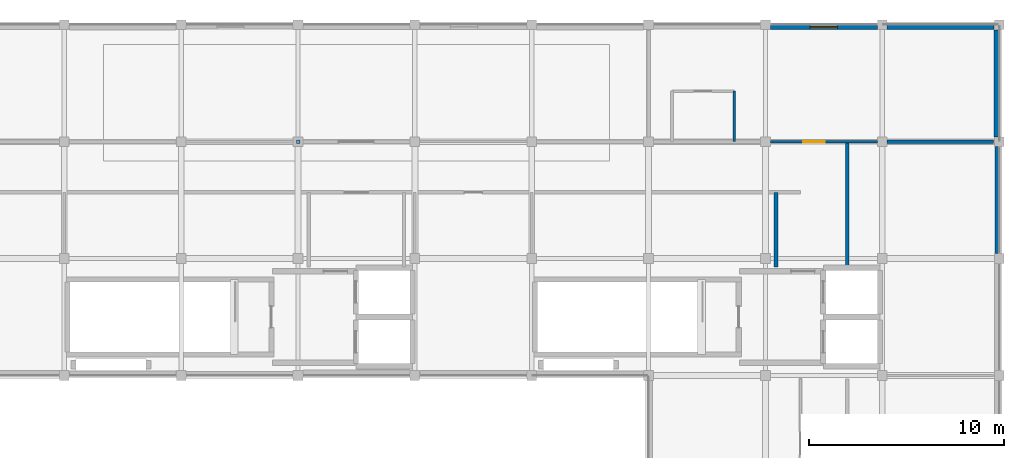
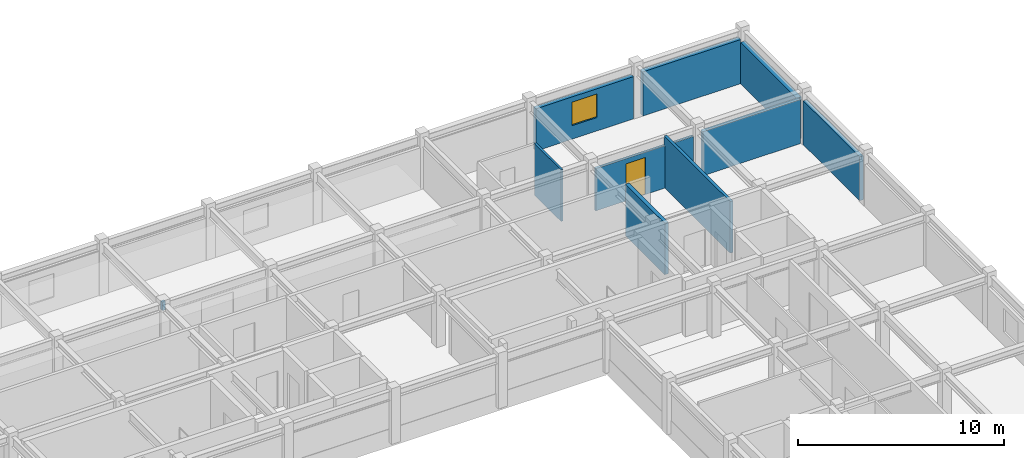
# One storey, part 10 of 11: 9 walls, 1 discrete accessory, 1 door, 1 window, 2 openings.
"""IFC4 building model written with IfcOpenShell, lengths in metres."""

import ifcopenshell
import ifcopenshell.guid

model = None  # the IFC model being written
_history = None  # IfcOwnerHistory: only IFC2X3 demands one
_inside = {}  # id of a spatial element -> (the spatial element, [elements in it])
_under = {}  # id of a project, library or spatial element -> (it, [spatial elements below it])
_declared = {}  # id of a project -> (the project, [libraries it declares])
_typed = {}  # id of a type object -> (the type object, [elements of that type])
_made_of = {}  # id of a material, layer set ... -> (it, [elements and type objects made of it])


def new_model(schema):
    """Start an empty IFC model of exactly this schema.

    Asked for "IFC4X3", IfcOpenShell would pick the latest addendum, in which some entities
    have other attributes; the version numbers below select the first issue.
    IFC2X3 requires an IfcOwnerHistory on every rooted entity: one is made here for all.
    """
    global model, _history
    if schema == "IFC4X3":
        model = ifcopenshell.file(schema_version=(4, 3, 0, 0))
    else:
        model = ifcopenshell.file(schema=schema)
    _inside.clear()
    _under.clear()
    _declared.clear()
    _typed.clear()
    _made_of.clear()
    _history = None
    if model.schema == "IFC2X3":
        org = make("IfcOrganization", Name="unknown")
        user = make(
            "IfcPersonAndOrganization",
            ThePerson=make("IfcPerson", FamilyName="unknown"),
            TheOrganization=org,
        )
        app = make(
            "IfcApplication",
            ApplicationDeveloper=org,
            Version="unknown",
            ApplicationFullName="unknown",
            ApplicationIdentifier="unknown",
        )
        _history = make(
            "IfcOwnerHistory",
            OwningUser=user,
            OwningApplication=app,
            ChangeAction="ADDED",
            CreationDate=0,
        )
    return model


def make(cls, **values):
    """One entity of the class cls with the attributes given. An attribute that is None is left unset."""
    return model.create_entity(
        cls, **{name: value for name, value in values.items() if value is not None}
    )


def rooted(cls, **values):
    """An entity with a GlobalId (a new one), such as an element, a storey or a relation."""
    return make(cls, GlobalId=ifcopenshell.guid.new(), OwnerHistory=_history, **values)


def si_unit(unit_type, name, prefix=None):
    """IfcSIUnit, for example si_unit("LENGTHUNIT", "METRE", prefix="MILLI")."""
    return make("IfcSIUnit", UnitType=unit_type, Prefix=prefix, Name=name)


def assignment(units):
    """IfcUnitAssignment: the units of a project."""
    return None if units is None else make("IfcUnitAssignment", Units=units)


def point(xyz):
    """IfcCartesianPoint."""
    return None if xyz is None else make("IfcCartesianPoint", Coordinates=xyz)


def direction(xyz):
    """IfcDirection."""
    return None if xyz is None else make("IfcDirection", DirectionRatios=xyz)


def frame(location, z_axis=None, x_axis=None):
    """IfcAxis2Placement3D, a coordinate frame: its origin and axes. An axis left out is left unset."""
    return make(
        "IfcAxis2Placement3D",
        Location=point(location),
        Axis=direction(z_axis),
        RefDirection=direction(x_axis),
    )


def frame_2d(location, x_axis=None):
    """IfcAxis2Placement2D, a coordinate frame in the plane: its origin and x axis."""
    return make(
        "IfcAxis2Placement2D", Location=point(location), RefDirection=direction(x_axis)
    )


def origin():
    """The frame at (0, 0, 0) with its axes left unset."""
    return frame((0.0, 0.0, 0.0))


def origin_2d():
    """The frame at (0, 0) in the plane with its x axis left unset."""
    return frame_2d((0.0, 0.0))


def place(relative_to, where):
    """IfcLocalPlacement: puts the frame where relative to a parent placement (None: the world)."""
    return make(
        "IfcLocalPlacement", PlacementRelTo=relative_to, RelativePlacement=where
    )


def context(
    kind, dimensions, precision=None, world=None, true_north=None, identifier=None
):
    """IfcGeometricRepresentationContext, for example the 3D "Model" context."""
    return make(
        "IfcGeometricRepresentationContext",
        ContextIdentifier=identifier,
        ContextType=kind,
        CoordinateSpaceDimension=dimensions,
        Precision=precision,
        WorldCoordinateSystem=world,
        TrueNorth=true_north,
    )


def subcontext(parent, identifier, kind, view, scale=None):
    """IfcGeometricRepresentationSubContext, for example "Body" below "Model"."""
    return make(
        "IfcGeometricRepresentationSubContext",
        ContextIdentifier=identifier,
        ContextType=kind,
        ParentContext=parent,
        TargetScale=scale,
        TargetView=view,
    )


def project(units=None, contexts=None):
    """IfcProject with its units and contexts."""
    return rooted(
        "IfcProject",
        Name="project",
        RepresentationContexts=contexts,
        UnitsInContext=assignment(units),
    )


def spatial(cls, under=None, at=None, **own):
    """A site, building, storey or space (cls), placed at a placement, below another one or the project."""
    s = rooted(cls, ObjectPlacement=at, **own)
    if under is not None:
        _under.setdefault(under.id(), (under, []))[1].append(s)
    return s


def profile(cls, at=None, kind="AREA", **sizes):
    """A parametric profile (cls). Its sizes go by their IFC names, for example OverallWidth=200.0."""
    return make(cls, ProfileType=kind, Position=at, **sizes)


def rectangle(**sizes):
    """IfcRectangleProfileDef."""
    return profile("IfcRectangleProfileDef", **sizes)


def extrude(swept, where, along, depth):
    """IfcExtrudedAreaSolid: the profile swept, set in the frame where, extruded along a direction by depth."""
    return make(
        "IfcExtrudedAreaSolid",
        SweptArea=swept,
        Position=where,
        ExtrudedDirection=direction(along),
        Depth=depth,
    )


def shape(context_of_items, identifier, shape_type, items):
    """IfcShapeRepresentation: the items that make up one representation, for example the "Body"."""
    return make(
        "IfcShapeRepresentation",
        ContextOfItems=context_of_items,
        RepresentationIdentifier=identifier,
        RepresentationType=shape_type,
        Items=items,
    )


def material(Name=None, Category=None):
    """IfcMaterial."""
    return make("IfcMaterial", Name=Name, Category=Category)


def layer(
    of_material, thickness, ventilated=None, Name=None, Category=None, Priority=None
):
    """IfcMaterialLayer: one layer of a wall or slab, of a material (None: an air gap)."""
    return make(
        "IfcMaterialLayer",
        Material=of_material,
        LayerThickness=thickness,
        IsVentilated=ventilated,
        Name=Name,
        Category=Category,
        Priority=Priority,
    )


def layer_set(layers, Name=None):
    """IfcMaterialLayerSet."""
    return make("IfcMaterialLayerSet", MaterialLayers=layers, LayerSetName=Name)


def made_of(thing, what):
    """Note that an element or type object is made of a material, layer set ...; save() writes the relation."""
    if what is not None:
        _made_of.setdefault(what.id(), (what, []))[1].append(thing)
    return thing


def type_object(cls, material=None, **own):
    """A type object (cls), such as IfcWallType, which elements share."""
    return made_of(rooted(cls, **own), material)


def element(
    cls,
    number,
    at=None,
    inside=None,
    cuts=None,
    type_object=None,
    material=None,
    context=None,
    identifier="Body",
    shape_type=None,
    held_by="IfcProductDefinitionShape",
    body=None,
    shapes=None,
    **own,
):
    """One element of the class cls, such as IfcWall. Its Tag is "e" and its number.

    at: its placement. inside: the storey or other place that contains it. cuts: it is an
    opening in that element (IfcRelVoidsElement). A single representation is given by context,
    identifier, shape_type and body (its items); several are given by shapes. held_by: the class
    of the entity that holds the representations. save() writes the other relations.
    """
    e = rooted(cls, Tag="e%d" % number, ObjectPlacement=at, **own)
    if body is not None:
        shapes = [shape(context, identifier, shape_type, body)]
    if shapes is not None:
        e.Representation = make(held_by, Representations=shapes)
    if inside is not None:
        _inside.setdefault(inside.id(), (inside, []))[1].append(e)
    if cuts is not None:
        rooted(
            "IfcRelVoidsElement", RelatingBuildingElement=cuts, RelatedOpeningElement=e
        )
    if type_object is not None:
        _typed.setdefault(type_object.id(), (type_object, []))[1].append(e)
    return made_of(e, material)


def fill(opening, filler):
    """IfcRelFillsElement: the door or window that sits in an opening."""
    return rooted(
        "IfcRelFillsElement",
        RelatingOpeningElement=opening,
        RelatedBuildingElement=filler,
    )


def aggregate(whole, parts):
    """IfcRelAggregates: a whole, such as a stair, and the parts it consists of."""
    return rooted("IfcRelAggregates", RelatingObject=whole, RelatedObjects=parts)


def save(model, path):
    """Write the relations noted so far, then the file.

    IfcRelAggregates (storeys below a building ...), IfcRelContainedInSpatialStructure (elements
    in a storey), IfcRelDefinesByType, IfcRelAssociatesMaterial and IfcRelDeclares: one each for
    every whole, place, type object, material and project.
    """
    for whole, parts in _under.values():
        aggregate(whole, parts)
    for where, things in _inside.values():
        rooted(
            "IfcRelContainedInSpatialStructure",
            RelatedElements=things,
            RelatingStructure=where,
        )
    for kind, things in _typed.values():
        rooted("IfcRelDefinesByType", RelatedObjects=things, RelatingType=kind)
    for what, things in _made_of.values():
        rooted("IfcRelAssociatesMaterial", RelatedObjects=things, RelatingMaterial=what)
    for by, libraries in _declared.values():
        rooted("IfcRelDeclares", RelatingContext=by, RelatedDefinitions=libraries)
    model.write(path)


model = new_model("IFC4")

# Units and contexts
model_context = context("Model", 3, precision=1e-05, world=origin(), true_north=direction((0.0, 1.0)))
body_context = subcontext(model_context, "Body", "Model", "MODEL_VIEW")
ifc_project = project(units=[si_unit("LENGTHUNIT", "METRE"), si_unit("AREAUNIT", "SQUARE_METRE"), si_unit("VOLUMEUNIT", "CUBIC_METRE"), si_unit("PLANEANGLEUNIT", "RADIAN"), si_unit("MASSUNIT", "GRAM", prefix="KILO"), si_unit("THERMODYNAMICTEMPERATUREUNIT", "KELVIN"), si_unit("POWERUNIT", "WATT")], contexts=[model_context])

# Site, building, storey
site_placement = place(None, origin())
site = spatial("IfcSite", under=ifc_project, at=site_placement, CompositionType="ELEMENT")
building_placement = place(site_placement, origin())
building = spatial("IfcBuilding", under=site, at=building_placement, Name="Phaisarnlok Congress Hotel", CompositionType="ELEMENT")
storey_placement = place(building_placement, frame((0.0, 0.0, 51.300048828125)))
storey = spatial("IfcBuildingStorey", under=building, at=storey_placement, Name="L13", CompositionType="ELEMENT", Elevation=51.300048828125)

# Wall
ifc_material_1 = material(Name="Concrete C40/50", Category="concrete")
ifc_layer_1 = layer(ifc_material_1, 0.2099609375, Name="Concrete C40/50")
ifc_layer_set_1 = layer_set([ifc_layer_1], Name="Concrete C40/50")
wall_type_1 = type_object("IfcWallType", Name="WL-EXT-210", PredefinedType="SOLIDWALL", material=ifc_layer_set_1)
wall_1_placement = place(storey_placement, frame((179.89501953125, 114.2548828125, 0.0), z_axis=(0.0, 0.0, 1.0), x_axis=(0.0, 1.0, 0.0)))
element("IfcWall", 1, at=wall_1_placement, inside=storey, type_object=wall_type_1, Name="Exterior wall EW-07 (L13)", PredefinedType="SOLIDWALL", context=body_context, shape_type="SweptSolid", body=[
    extrude(rectangle(XDim=5.490234375, YDim=0.2099609375, at=frame_2d((2.7451171875, 0.0))), origin(), (0.0, 0.0, 1.0), 2.60986328125),
])

# Wall, opening, window
ifc_layer_2 = layer(ifc_material_1, 0.22998046875, Name="Concrete C40/50")
ifc_layer_set_2 = layer_set([ifc_layer_2], Name="Concrete C40/50")
wall_type_2 = type_object("IfcWallType", Name="WL-EXT-230", PredefinedType="SOLIDWALL", material=ifc_layer_set_2)
wall_2_placement = place(storey_placement, frame((173.7451171875, 125.885009765625, 0.0), z_axis=(0.0, 0.0, 1.0), x_axis=(-1.0, 0.0, 0.0)))
wall_2 = element("IfcWall", 2, at=wall_2_placement, inside=storey, type_object=wall_type_2, Name="Exterior wall EW-06 (L13)", PredefinedType="SOLIDWALL", context=body_context, shape_type="SweptSolid", body=[
    extrude(rectangle(XDim=5.490234375, YDim=0.22998046875, at=frame_2d((2.7451171875, 0.0))), origin(), (0.0, 0.0, 1.0), 2.510009765625),
])
opening_1_placement = place(wall_2_placement, frame((2.044921875, 0.0, 0.800048828125)))
opening_1 = element("IfcOpeningElement", 3, at=opening_1_placement, cuts=wall_2, Name="Opening W-13", PredefinedType="OPENING", context=body_context, shape_type="SweptSolid", body=[
    extrude(rectangle(XDim=1.39990234375, YDim=1.39990234375, at=frame_2d((0.699951171875, 0.699951171875))), frame((0.0, 0.125, 0.0), z_axis=(0.0, -1.0, 0.0), x_axis=(1.0, 0.0, 0.0)), (0.0, 0.0, 1.0), 0.25),
])
ifc_material_2 = material(Name="Thermally Broken Aluminium & Low-E Double Glazing", Category="aluminium")
window_type = type_object("IfcWindowType", Name="WIN-POD-1400", PartitioningType="SINGLE_PANEL", PredefinedType="WINDOW", material=ifc_material_2)
window_placement = place(opening_1_placement, origin())
window = element("IfcWindow", 4, at=window_placement, inside=storey, type_object=window_type, Name="Guestroom window W-13 (L13)", OverallHeight=1.39990234375, OverallWidth=1.39990234375, PartitioningType="SINGLE_PANEL", PredefinedType="WINDOW", context=body_context, shape_type="SweptSolid", body=[
    extrude(rectangle(XDim=1.39990234375, YDim=1.39990234375, at=frame_2d((0.699951171875, 0.699951171875))), frame((0.0, 0.030029296875, 0.0), z_axis=(0.0, -1.0, 0.0), x_axis=(1.0, 0.0, 0.0)), (0.0, 0.0, 1.0), 0.06005859375),
])
fill(opening_1, window)

# Walls
ifc_layer_3 = layer(ifc_material_1, 0.25, Name="Concrete C40/50")
ifc_layer_set_3 = layer_set([ifc_layer_3], Name="Concrete C40/50")
wall_type_3 = type_object("IfcWallType", Name="WL-EXT-250", PredefinedType="SOLIDWALL", material=ifc_layer_set_3)
wall_3_placement = place(storey_placement, frame((179.7451171875, 125.875, 0.0), z_axis=(0.0, 0.0, 1.0), x_axis=(-1.0, 0.0, 0.0)))
element("IfcWall", 5, at=wall_3_placement, inside=storey, type_object=wall_type_3, Name="Exterior wall EW-05 (L13)", PredefinedType="SOLIDWALL", context=body_context, shape_type="SweptSolid", body=[
    extrude(rectangle(XDim=5.490234375, YDim=0.25, at=frame_2d((2.7451171875, 0.0))), origin(), (0.0, 0.0, 1.0), 2.619873046875),
])
ifc_layer_4 = layer(ifc_material_1, 0.27001953125, Name="Concrete C40/50")
ifc_layer_set_4 = layer_set([ifc_layer_4], Name="Concrete C40/50")
wall_type_4 = type_object("IfcWallType", Name="WL-EXT-270", PredefinedType="SOLIDWALL", material=ifc_layer_set_4)
wall_4_placement = place(storey_placement, frame((179.864990234375, 120.2548828125, 0.0), z_axis=(0.0, 0.0, 1.0), x_axis=(0.0, 1.0, 0.0)))
element("IfcWall", 6, at=wall_4_placement, inside=storey, type_object=wall_type_4, Name="Exterior wall EW-04 (L13)", PredefinedType="SOLIDWALL", context=body_context, shape_type="SweptSolid", body=[
    extrude(rectangle(XDim=5.490234375, YDim=0.27001953125, at=frame_2d((2.7451171875, 0.0))), origin(), (0.0, 0.0, 1.0), 2.4599609375),
])
ifc_material_3 = material(Name="Lightweight Metal-Stud Gypsum Partition", Category="gypsum")
ifc_layer_5 = layer(ifc_material_3, 0.1201171875, Name="Lightweight Metal-Stud Gypsum Partition")
ifc_layer_set_5 = layer_set([ifc_layer_5], Name="Lightweight Metal-Stud Gypsum Partition")
wall_type_5 = type_object("IfcWallType", Name="WL-INT-120", PredefinedType="PARTITIONING", material=ifc_layer_set_5)
wall_5_placement = place(storey_placement, frame((166.39990234375, 120.0, 0.0), z_axis=(0.0, 0.0, 1.0), x_axis=(0.0, 1.0, 0.0)))
element("IfcWall", 7, at=wall_5_placement, inside=storey, type_object=wall_type_5, Name="Interior partition wall IW-07 (L13)", PredefinedType="PARTITIONING", context=body_context, shape_type="SweptSolid", body=[
    extrude(rectangle(XDim=2.60009765625, YDim=0.1201171875, at=frame_2d((1.300048828125, 0.0))), origin(), (0.0, 0.0, 1.0), 3.06005859375),
])

# Wall, opening, door
ifc_material_4 = material(Name="Acoustic Gypsum Board & Mineral Wool", Category="gypsum")
ifc_layer_6 = layer(ifc_material_4, 0.14990234375, Name="Acoustic Gypsum Board & Mineral Wool")
ifc_layer_set_6 = layer_set([ifc_layer_6], Name="Acoustic Gypsum Board & Mineral Wool")
wall_type_6 = type_object("IfcWallType", Name="WL-INT-150", PredefinedType="PARTITIONING", material=ifc_layer_set_6)
wall_6_placement = place(storey_placement, frame((168.2548828125, 120.0, 0.0), z_axis=(0.0, 0.0, 1.0), x_axis=(1.0, 0.0, 0.0)))
wall_6 = element("IfcWall", 8, at=wall_6_placement, inside=storey, type_object=wall_type_6, Name="Interior partition wall IW-05 (L13)", PredefinedType="PARTITIONING", context=body_context, shape_type="SweptSolid", body=[
    extrude(rectangle(XDim=5.490234375, YDim=0.14990234375, at=frame_2d((2.7451171875, 0.0))), origin(), (0.0, 0.0, 1.0), 2.510009765625),
])
opening_2_placement = place(wall_6_placement, frame((1.695068359375, 0.0, 0.0)))
opening_2 = element("IfcOpeningElement", 9, at=opening_2_placement, cuts=wall_6, Name="Opening D-0734", PredefinedType="OPENING", context=body_context, shape_type="SweptSolid", body=[
    extrude(rectangle(XDim=1.10009765625, YDim=2.199951171875, at=frame_2d((0.550048828125, 1.10009765625))), frame((0.0, 0.0849609375, 0.0), z_axis=(0.0, -1.0, 0.0), x_axis=(1.0, 0.0, 0.0)), (0.0, 0.0, 1.0), 0.169921875),
])
ifc_material_5 = material(Name="Acoustic Solid-Core Teak Veneer", Category="wood")
door_type = type_object("IfcDoorType", Name="DR-FD30-1100", OperationType="NOTDEFINED", PredefinedType="DOOR", material=ifc_material_5)
door_placement = place(opening_2_placement, origin())
door = element("IfcDoor", 10, at=door_placement, inside=storey, type_object=door_type, Name="Interior door D-0734 (L13)", OperationType="SINGLE_SWING_LEFT", OverallHeight=2.199951171875, OverallWidth=1.10009765625, PredefinedType="DOOR", context=body_context, shape_type="SweptSolid", body=[
    extrude(rectangle(XDim=1.10009765625, YDim=2.199951171875, at=frame_2d((0.550048828125, 1.10009765625))), frame((0.0, 0.02490234375, 0.0), z_axis=(0.0, -1.0, 0.0), x_axis=(1.0, 0.0, 0.0)), (0.0, 0.0, 1.0), 0.050048828125),
])
fill(opening_2, door)

# Walls
ifc_material_6 = material(Name="Double-Stud Acoustic Gypsum Partition", Category="gypsum")
ifc_layer_7 = layer(ifc_material_6, 0.159912109375, Name="Double-Stud Acoustic Gypsum Partition")
ifc_layer_set_7 = layer_set([ifc_layer_7], Name="Double-Stud Acoustic Gypsum Partition")
wall_type_7 = type_object("IfcWallType", Name="WL-INT-160", PredefinedType="PARTITIONING", material=ifc_layer_set_7)
wall_7_placement = place(storey_placement, frame((172.199951171875, 113.56005859375, 0.0), z_axis=(0.0, 0.0, 1.0), x_axis=(0.0, 1.0, 0.0)))
element("IfcWall", 11, at=wall_7_placement, inside=storey, type_object=wall_type_7, Name="Interior partition wall IW-04 (L13)", PredefinedType="PARTITIONING", context=body_context, shape_type="SweptSolid", body=[
    extrude(rectangle(XDim=6.43994140625, YDim=0.159912109375, at=frame_2d((3.219970703125, 0.0))), origin(), (0.0, 0.0, 1.0), 3.06005859375),
])
ifc_material_7 = material(Name="Autoclaved Aerated Concrete Block", Category="concrete")
ifc_layer_8 = layer(ifc_material_7, 0.199951171875, Name="Autoclaved Aerated Concrete Block")
ifc_layer_set_8 = layer_set([ifc_layer_8], Name="Autoclaved Aerated Concrete Block")
wall_type_8 = type_object("IfcWallType", Name="WL-INT-200", PredefinedType="PARTITIONING", material=ifc_layer_set_8)
wall_8_placement = place(storey_placement, frame((168.550048828125, 113.56005859375, 0.0), z_axis=(0.0, 0.0, 1.0), x_axis=(0.0, 1.0, 0.0)))
element("IfcWall", 12, at=wall_8_placement, inside=storey, type_object=wall_type_8, Name="Interior partition wall IW-02 (L13)", PredefinedType="PARTITIONING", context=body_context, shape_type="SweptSolid", body=[
    extrude(rectangle(XDim=3.83984375, YDim=0.199951171875, at=frame_2d((1.919921875, 0.0))), origin(), (0.0, 0.0, 1.0), 3.06005859375),
])
wall_9_placement = place(storey_placement, frame((174.2548828125, 120.0, 0.0), z_axis=(0.0, 0.0, 1.0), x_axis=(1.0, 0.0, 0.0)))
element("IfcWall", 13, at=wall_9_placement, inside=storey, type_object=wall_type_8, Name="Interior partition wall IW-02 (L13)", PredefinedType="PARTITIONING", context=body_context, shape_type="SweptSolid", body=[
    extrude(rectangle(XDim=5.465087890625, YDim=0.199951171875, at=frame_2d((2.732421875, 0.0))), origin(), (0.0, 0.0, 1.0), 2.619873046875),
])

# Discrete accessory
ifc_material_8 = material(Name="Steel S355", Category="steel")
discrete_accessory_type = type_object("IfcDiscreteAccessoryType", Name="ACC-HNG-STL", PredefinedType="BRACKET", material=ifc_material_8)
discrete_accessory_placement = place(storey_placement, frame((144.0, 120.0, 2.60498046875), z_axis=(0.0, 0.0, 1.0), x_axis=(1.0, 0.0, 0.0)))
element("IfcDiscreteAccessory", 14, at=discrete_accessory_placement, inside=storey, type_object=discrete_accessory_type, Name="Acoustic ceiling steel suspension hanger BK-01", PredefinedType="BRACKET", context=body_context, shape_type="SweptSolid", body=[
    extrude(rectangle(XDim=0.179931640625, YDim=0.179931640625, at=origin_2d()), origin(), (0.0, 0.0, 1.0), 0.4951171875),
])

save(model, "model.ifc")
